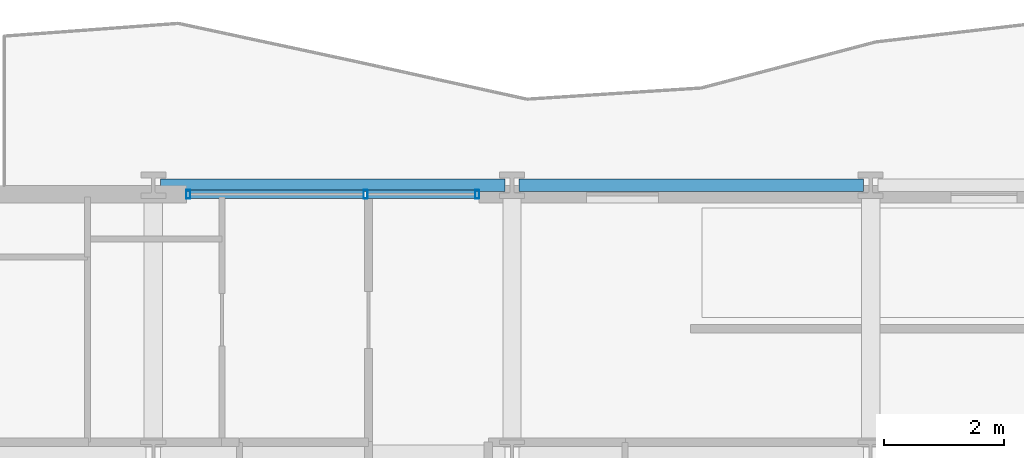
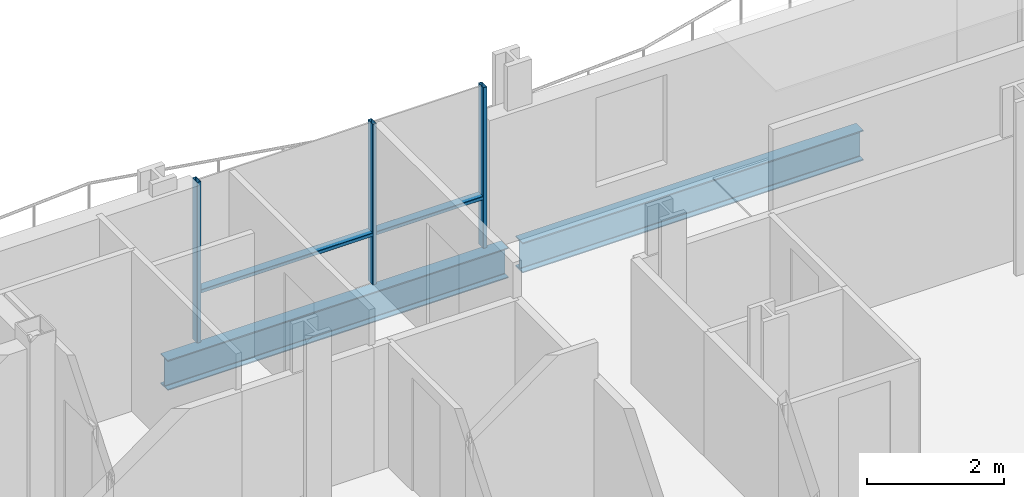
# One storey, part 21 of 41: 5 members, 2 beams, 1 element without a shape of its own.
"""IFC4 building model written with IfcOpenShell, lengths in metres."""

from ifc_helpers import new_model, si_unit, direction, frame, origin, origin_2d, place, context, subcontext, project, spatial, hollow_rectangle, i_section, extrude, material, layer, layer_set, material_profile, profile_set, type_object, element, aggregate, save


model = new_model("IFC4")

# Units and contexts
model_context = context("Model", 3, precision=1e-05, world=origin(), true_north=direction((0.0, 1.0)))
body_context = subcontext(model_context, "Body", "Model", "MODEL_VIEW")
ifc_project = project(units=[si_unit("LENGTHUNIT", "METRE"), si_unit("AREAUNIT", "SQUARE_METRE"), si_unit("VOLUMEUNIT", "CUBIC_METRE"), si_unit("PLANEANGLEUNIT", "RADIAN"), si_unit("MASSUNIT", "GRAM", prefix="KILO")], contexts=[model_context])

# Site, building, storey
site_placement = place(None, origin())
site = spatial("IfcSite", under=ifc_project, at=site_placement, CompositionType="ELEMENT")
building_placement = place(site_placement, origin())
building = spatial("IfcBuilding", under=site, at=building_placement, Name="Brevholm Reach", CompositionType="ELEMENT")
storey_placement = place(building_placement, frame((0.0, 0.0, 49.699951171875)))
storey = spatial("IfcBuildingStorey", under=building, at=storey_placement, Name="L13", CompositionType="ELEMENT", Elevation=49.699951171875)

# Beams
ifc_material_1 = material(Name="Structural Steel S355J2", Category="steel")
ifc_material_profile_1 = material_profile(ifc_material_1, i_section(OverallWidth=0.210693359375, OverallDepth=0.53955078125, WebThickness=0.01171875, FlangeThickness=0.018798828125, FilletRadius=0.0126953125, at=origin_2d()), Name="UKB 533x210x109")
ifc_profile_set_1 = profile_set([ifc_material_profile_1], Name="Structural Steel S355J2")
beam_type = type_object("IfcBeamType", Name="BM-SP539", PredefinedType="SPANDREL", material=ifc_profile_set_1)
for number, where, z_axis, x_axis, name in (
    (1, (6.1201171875, 31.0, -0.499755859375), (1.0, 0.0, 0.0), (0.0, 1.0, 0.0), "L13 SP-01B Framing Beam"),
    (2, (12.1201171875, 31.0, -0.499755859375), (1.0, 0.0, 0.0), (0.0, 1.0, 0.0), "L13 SP-01B Framing Beam"),
):
    element("IfcBeam", number, at=place(storey_placement, frame(where, z_axis=z_axis, x_axis=x_axis)), inside=storey, type_object=beam_type, Name=name, PredefinedType="SPANDREL", context=body_context, shape_type="SweptSolid", body=[
        extrude(i_section(OverallWidth=0.210693359375, OverallDepth=0.53955078125, WebThickness=0.01171875, FlangeThickness=0.018798828125, FilletRadius=0.0126953125, at=origin_2d()), origin(), (0.0, 0.0, 1.0), 5.759765625),
    ])

# Curtain wall, members
ifc_material_2 = material(Name="Dark Anodised Aluminium 6063-T6 and Solar-Control Glass", Category="aluminium")
ifc_layer = layer(ifc_material_2, 0.14990234375)
ifc_layer_set = layer_set([ifc_layer], Name="Dark Anodised Aluminium 6063-T6 and Solar-Control Glass")
curtain_wall_type = type_object("IfcCurtainWallType", Name="CW-01", PredefinedType="NOTDEFINED", material=ifc_layer_set)
curtain_wall_placement = place(storey_placement, origin())
curtain_wall = element("IfcCurtainWall", 3, at=curtain_wall_placement, inside=storey, type_object=curtain_wall_type, Name="L13 Curtain Wall CW-01", PredefinedType="NOTDEFINED")
ifc_material_3 = material(Name="Dark Anodised Aluminium 6063-T6", Category="aluminium")
ifc_material_profile_2 = material_profile(ifc_material_3, hollow_rectangle(XDim=0.06494140625, YDim=0.14990234375, WallThickness=0.0048828125, InnerFilletRadius=0.0048828125, OuterFilletRadius=0.010009765625, at=origin_2d()), Name="RHS 150x65x5")
ifc_profile_set_2 = profile_set([ifc_material_profile_2], Name="Dark Anodised Aluminium 6063-T6")
member_type_1 = type_object("IfcMemberType", Name="CWM-150", PredefinedType="MULLION", material=ifc_profile_set_2)
member_1_placement = place(storey_placement, frame((6.58251953125, 30.85009765625, 0.0), z_axis=(0.0, 0.0, 1.0), x_axis=(1.0, 0.0, 0.0)))
member_1 = element("IfcMember", 4, at=member_1_placement, type_object=member_type_1, Name="CM-150 Mullion 1", PredefinedType="MULLION", context=body_context, shape_type="SweptSolid", body=[
    extrude(hollow_rectangle(XDim=0.06494140625, YDim=0.14990234375, WallThickness=0.0048828125, InnerFilletRadius=0.0048828125, OuterFilletRadius=0.010009765625, at=origin_2d()), origin(), (0.0, 0.0, 1.0), 2.8701171875),
])
member_2_placement = place(storey_placement, frame((9.550048828125, 30.85009765625, 0.0), z_axis=(0.0, 0.0, 1.0), x_axis=(1.0, 0.0, 0.0)))
member_2 = element("IfcMember", 5, at=member_2_placement, type_object=member_type_1, Name="CM-150 Mullion 2", PredefinedType="MULLION", context=body_context, shape_type="SweptSolid", body=[
    extrude(hollow_rectangle(XDim=0.06494140625, YDim=0.14990234375, WallThickness=0.0048828125, InnerFilletRadius=0.0048828125, OuterFilletRadius=0.010009765625, at=origin_2d()), origin(), (0.0, 0.0, 1.0), 2.8701171875),
])
member_3_placement = place(storey_placement, frame((11.41748046875, 30.85009765625, 0.0), z_axis=(0.0, 0.0, 1.0), x_axis=(1.0, 0.0, 0.0)))
member_3 = element("IfcMember", 6, at=member_3_placement, type_object=member_type_1, Name="CM-150 Mullion 3", PredefinedType="MULLION", context=body_context, shape_type="SweptSolid", body=[
    extrude(hollow_rectangle(XDim=0.06494140625, YDim=0.14990234375, WallThickness=0.0048828125, InnerFilletRadius=0.0048828125, OuterFilletRadius=0.010009765625, at=origin_2d()), origin(), (0.0, 0.0, 1.0), 2.8701171875),
])
ifc_material_4 = material(Name="Dark Anodised Aluminium 6063-T6", Category="aluminium")
ifc_material_profile_3 = material_profile(ifc_material_4, hollow_rectangle(XDim=0.06494140625, YDim=0.14990234375, WallThickness=0.0048828125, InnerFilletRadius=0.0048828125, OuterFilletRadius=0.010009765625, at=origin_2d()), Name="RHS 150x65x5")
ifc_profile_set_3 = profile_set([ifc_material_profile_3], Name="Dark Anodised Aluminium 6063-T6")
member_type_2 = type_object("IfcMemberType", Name="CWT-150", PredefinedType="NOTDEFINED", material=ifc_profile_set_3)
member_4_placement = place(storey_placement, frame((6.614990234375, 30.85009765625, 0.900146484375), z_axis=(1.0, 0.0, 0.0), x_axis=(0.0, 0.0, 1.0)))
member_4 = element("IfcMember", 7, at=member_4_placement, type_object=member_type_2, Name="CT-150 Transom 1.1", ObjectType="TRANSOM", PredefinedType="USERDEFINED", context=body_context, shape_type="SweptSolid", body=[
    extrude(hollow_rectangle(XDim=0.06494140625, YDim=0.14990234375, WallThickness=0.0048828125, InnerFilletRadius=0.0048828125, OuterFilletRadius=0.010009765625, at=origin_2d()), origin(), (0.0, 0.0, 1.0), 2.902587890625),
])
member_5_placement = place(storey_placement, frame((9.58251953125, 30.85009765625, 0.900146484375), z_axis=(1.0, 0.0, 0.0), x_axis=(0.0, 0.0, 1.0)))
member_5 = element("IfcMember", 8, at=member_5_placement, type_object=member_type_2, Name="CT-150 Transom 2.1", ObjectType="TRANSOM", PredefinedType="USERDEFINED", context=body_context, shape_type="SweptSolid", body=[
    extrude(hollow_rectangle(XDim=0.06494140625, YDim=0.14990234375, WallThickness=0.0048828125, InnerFilletRadius=0.0048828125, OuterFilletRadius=0.010009765625, at=origin_2d()), origin(), (0.0, 0.0, 1.0), 1.802490234375),
])
aggregate(curtain_wall, [member_1, member_2, member_3, member_4, member_5])

save(model, "model.ifc")
